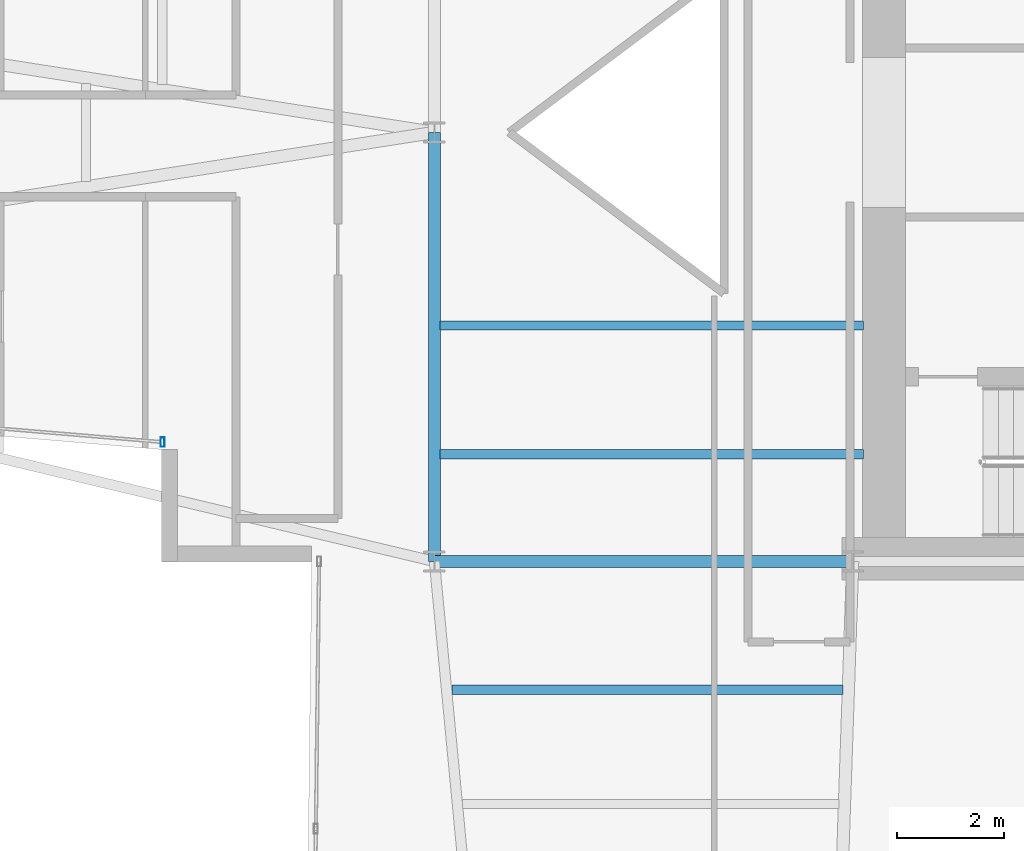
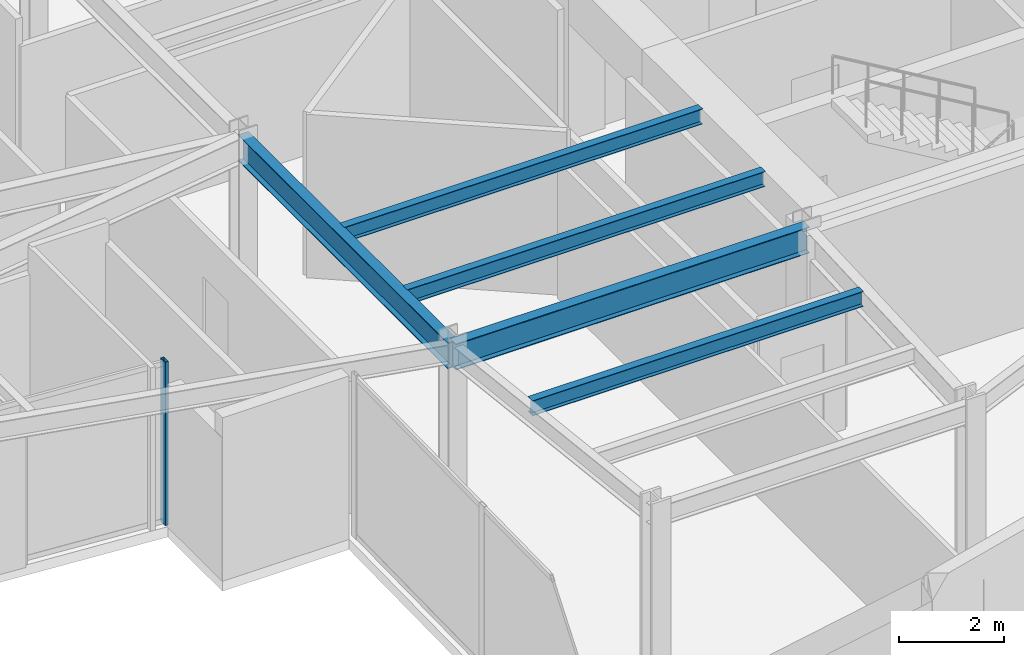
# One storey, part 5 of 25: 5 beams, 1 member, 1 element without a shape of its own.
"""IFC4 building model written with IfcOpenShell, lengths in metres."""

import ifcopenshell
import ifcopenshell.guid

model = None  # the IFC model being written
_history = None  # IfcOwnerHistory: only IFC2X3 demands one
_inside = {}  # id of a spatial element -> (the spatial element, [elements in it])
_under = {}  # id of a project, library or spatial element -> (it, [spatial elements below it])
_declared = {}  # id of a project -> (the project, [libraries it declares])
_typed = {}  # id of a type object -> (the type object, [elements of that type])
_made_of = {}  # id of a material, layer set ... -> (it, [elements and type objects made of it])


def new_model(schema):
    """Start an empty IFC model of exactly this schema.

    Asked for "IFC4X3", IfcOpenShell would pick the latest addendum, in which some entities
    have other attributes; the version numbers below select the first issue.
    IFC2X3 requires an IfcOwnerHistory on every rooted entity: one is made here for all.
    """
    global model, _history
    if schema == "IFC4X3":
        model = ifcopenshell.file(schema_version=(4, 3, 0, 0))
    else:
        model = ifcopenshell.file(schema=schema)
    _inside.clear()
    _under.clear()
    _declared.clear()
    _typed.clear()
    _made_of.clear()
    _history = None
    if model.schema == "IFC2X3":
        org = make("IfcOrganization", Name="unknown")
        user = make(
            "IfcPersonAndOrganization",
            ThePerson=make("IfcPerson", FamilyName="unknown"),
            TheOrganization=org,
        )
        app = make(
            "IfcApplication",
            ApplicationDeveloper=org,
            Version="unknown",
            ApplicationFullName="unknown",
            ApplicationIdentifier="unknown",
        )
        _history = make(
            "IfcOwnerHistory",
            OwningUser=user,
            OwningApplication=app,
            ChangeAction="ADDED",
            CreationDate=0,
        )
    return model


def make(cls, **values):
    """One entity of the class cls with the attributes given. An attribute that is None is left unset."""
    return model.create_entity(
        cls, **{name: value for name, value in values.items() if value is not None}
    )


def rooted(cls, **values):
    """An entity with a GlobalId (a new one), such as an element, a storey or a relation."""
    return make(cls, GlobalId=ifcopenshell.guid.new(), OwnerHistory=_history, **values)


def si_unit(unit_type, name, prefix=None):
    """IfcSIUnit, for example si_unit("LENGTHUNIT", "METRE", prefix="MILLI")."""
    return make("IfcSIUnit", UnitType=unit_type, Prefix=prefix, Name=name)


def assignment(units):
    """IfcUnitAssignment: the units of a project."""
    return None if units is None else make("IfcUnitAssignment", Units=units)


def point(xyz):
    """IfcCartesianPoint."""
    return None if xyz is None else make("IfcCartesianPoint", Coordinates=xyz)


def direction(xyz):
    """IfcDirection."""
    return None if xyz is None else make("IfcDirection", DirectionRatios=xyz)


def frame(location, z_axis=None, x_axis=None):
    """IfcAxis2Placement3D, a coordinate frame: its origin and axes. An axis left out is left unset."""
    return make(
        "IfcAxis2Placement3D",
        Location=point(location),
        Axis=direction(z_axis),
        RefDirection=direction(x_axis),
    )


def frame_2d(location, x_axis=None):
    """IfcAxis2Placement2D, a coordinate frame in the plane: its origin and x axis."""
    return make(
        "IfcAxis2Placement2D", Location=point(location), RefDirection=direction(x_axis)
    )


def origin():
    """The frame at (0, 0, 0) with its axes left unset."""
    return frame((0.0, 0.0, 0.0))


def origin_2d():
    """The frame at (0, 0) in the plane with its x axis left unset."""
    return frame_2d((0.0, 0.0))


def place(relative_to, where):
    """IfcLocalPlacement: puts the frame where relative to a parent placement (None: the world)."""
    return make(
        "IfcLocalPlacement", PlacementRelTo=relative_to, RelativePlacement=where
    )


def context(
    kind, dimensions, precision=None, world=None, true_north=None, identifier=None
):
    """IfcGeometricRepresentationContext, for example the 3D "Model" context."""
    return make(
        "IfcGeometricRepresentationContext",
        ContextIdentifier=identifier,
        ContextType=kind,
        CoordinateSpaceDimension=dimensions,
        Precision=precision,
        WorldCoordinateSystem=world,
        TrueNorth=true_north,
    )


def subcontext(parent, identifier, kind, view, scale=None):
    """IfcGeometricRepresentationSubContext, for example "Body" below "Model"."""
    return make(
        "IfcGeometricRepresentationSubContext",
        ContextIdentifier=identifier,
        ContextType=kind,
        ParentContext=parent,
        TargetScale=scale,
        TargetView=view,
    )


def project(units=None, contexts=None):
    """IfcProject with its units and contexts."""
    return rooted(
        "IfcProject",
        Name="project",
        RepresentationContexts=contexts,
        UnitsInContext=assignment(units),
    )


def spatial(cls, under=None, at=None, **own):
    """A site, building, storey or space (cls), placed at a placement, below another one or the project."""
    s = rooted(cls, ObjectPlacement=at, **own)
    if under is not None:
        _under.setdefault(under.id(), (under, []))[1].append(s)
    return s


def profile(cls, at=None, kind="AREA", **sizes):
    """A parametric profile (cls). Its sizes go by their IFC names, for example OverallWidth=200.0."""
    return make(cls, ProfileType=kind, Position=at, **sizes)


def hollow_rectangle(**sizes):
    """IfcRectangleHollowProfileDef."""
    return profile("IfcRectangleHollowProfileDef", **sizes)


def i_section(**sizes):
    """IfcIShapeProfileDef."""
    return profile("IfcIShapeProfileDef", **sizes)


def extrude(swept, where, along, depth):
    """IfcExtrudedAreaSolid: the profile swept, set in the frame where, extruded along a direction by depth."""
    return make(
        "IfcExtrudedAreaSolid",
        SweptArea=swept,
        Position=where,
        ExtrudedDirection=direction(along),
        Depth=depth,
    )


def shape(context_of_items, identifier, shape_type, items):
    """IfcShapeRepresentation: the items that make up one representation, for example the "Body"."""
    return make(
        "IfcShapeRepresentation",
        ContextOfItems=context_of_items,
        RepresentationIdentifier=identifier,
        RepresentationType=shape_type,
        Items=items,
    )


def material(Name=None, Category=None):
    """IfcMaterial."""
    return make("IfcMaterial", Name=Name, Category=Category)


def layer(
    of_material, thickness, ventilated=None, Name=None, Category=None, Priority=None
):
    """IfcMaterialLayer: one layer of a wall or slab, of a material (None: an air gap)."""
    return make(
        "IfcMaterialLayer",
        Material=of_material,
        LayerThickness=thickness,
        IsVentilated=ventilated,
        Name=Name,
        Category=Category,
        Priority=Priority,
    )


def layer_set(layers, Name=None):
    """IfcMaterialLayerSet."""
    return make("IfcMaterialLayerSet", MaterialLayers=layers, LayerSetName=Name)


def material_profile(
    of_material, cross_section, Name=None, Category=None, Priority=None
):
    """IfcMaterialProfile: a cross section and its material."""
    return make(
        "IfcMaterialProfile",
        Name=Name,
        Material=of_material,
        Profile=cross_section,
        Priority=Priority,
        Category=Category,
    )


def profile_set(profiles, Name=None, composite=None):
    """IfcMaterialProfileSet."""
    return make(
        "IfcMaterialProfileSet",
        Name=Name,
        MaterialProfiles=profiles,
        CompositeProfile=composite,
    )


def made_of(thing, what):
    """Note that an element or type object is made of a material, layer set ...; save() writes the relation."""
    if what is not None:
        _made_of.setdefault(what.id(), (what, []))[1].append(thing)
    return thing


def type_object(cls, material=None, **own):
    """A type object (cls), such as IfcWallType, which elements share."""
    return made_of(rooted(cls, **own), material)


def element(
    cls,
    number,
    at=None,
    inside=None,
    cuts=None,
    type_object=None,
    material=None,
    context=None,
    identifier="Body",
    shape_type=None,
    held_by="IfcProductDefinitionShape",
    body=None,
    shapes=None,
    **own,
):
    """One element of the class cls, such as IfcWall. Its Tag is "e" and its number.

    at: its placement. inside: the storey or other place that contains it. cuts: it is an
    opening in that element (IfcRelVoidsElement). A single representation is given by context,
    identifier, shape_type and body (its items); several are given by shapes. held_by: the class
    of the entity that holds the representations. save() writes the other relations.
    """
    e = rooted(cls, Tag="e%d" % number, ObjectPlacement=at, **own)
    if body is not None:
        shapes = [shape(context, identifier, shape_type, body)]
    if shapes is not None:
        e.Representation = make(held_by, Representations=shapes)
    if inside is not None:
        _inside.setdefault(inside.id(), (inside, []))[1].append(e)
    if cuts is not None:
        rooted(
            "IfcRelVoidsElement", RelatingBuildingElement=cuts, RelatedOpeningElement=e
        )
    if type_object is not None:
        _typed.setdefault(type_object.id(), (type_object, []))[1].append(e)
    return made_of(e, material)


def aggregate(whole, parts):
    """IfcRelAggregates: a whole, such as a stair, and the parts it consists of."""
    return rooted("IfcRelAggregates", RelatingObject=whole, RelatedObjects=parts)


def save(model, path):
    """Write the relations noted so far, then the file.

    IfcRelAggregates (storeys below a building ...), IfcRelContainedInSpatialStructure (elements
    in a storey), IfcRelDefinesByType, IfcRelAssociatesMaterial and IfcRelDeclares: one each for
    every whole, place, type object, material and project.
    """
    for whole, parts in _under.values():
        aggregate(whole, parts)
    for where, things in _inside.values():
        rooted(
            "IfcRelContainedInSpatialStructure",
            RelatedElements=things,
            RelatingStructure=where,
        )
    for kind, things in _typed.values():
        rooted("IfcRelDefinesByType", RelatedObjects=things, RelatingType=kind)
    for what, things in _made_of.values():
        rooted("IfcRelAssociatesMaterial", RelatedObjects=things, RelatingMaterial=what)
    for by, libraries in _declared.values():
        rooted("IfcRelDeclares", RelatingContext=by, RelatedDefinitions=libraries)
    model.write(path)


model = new_model("IFC4")

# Units and contexts
model_context = context("Model", 3, precision=1e-05, world=origin(), true_north=direction((0.0, 1.0)))
body_context = subcontext(model_context, "Body", "Model", "MODEL_VIEW")
ifc_project = project(units=[si_unit("LENGTHUNIT", "METRE"), si_unit("AREAUNIT", "SQUARE_METRE"), si_unit("VOLUMEUNIT", "CUBIC_METRE"), si_unit("PLANEANGLEUNIT", "RADIAN"), si_unit("MASSUNIT", "GRAM", prefix="KILO")], contexts=[model_context])

# Site, building, storey
site_placement = place(None, origin())
site = spatial("IfcSite", under=ifc_project, at=site_placement, CompositionType="ELEMENT")
building_placement = place(site_placement, origin())
building = spatial("IfcBuilding", under=site, at=building_placement, Name="Veymaron Broadcast Tower", CompositionType="ELEMENT")
storey_placement = place(building_placement, frame((0.0, 0.0, 129.0)))
storey = spatial("IfcBuildingStorey", under=building, at=storey_placement, Name="L29", CompositionType="ELEMENT", Elevation=129.0)

# Beams
ifc_material_1 = material(Name="Structural steel ASTM A992 Gr 50", Category="steel")
ifc_material_profile_1 = material_profile(ifc_material_1, i_section(OverallWidth=0.22802734375, OverallDepth=0.60791015625, WebThickness=0.01123046875, FlangeThickness=0.017333984375, at=origin_2d()), Name="W610X113")
ifc_profile_set_1 = profile_set([ifc_material_profile_1], Name="Structural steel ASTM A992 Gr 50")
beam_type_1 = type_object("IfcBeamType", Name="BM-FG2", PredefinedType="BEAM", material=ifc_profile_set_1)
beam_1_placement = place(storey_placement, frame((31.199951171875, 16.0, 3.506103515625), z_axis=(0.0, 1.0, 0.0), x_axis=(-1.0, 0.0, 0.0)))
element("IfcBeam", 1, at=beam_1_placement, inside=storey, type_object=beam_type_1, Name="L29 primary structural floor girder", PredefinedType="BEAM", context=body_context, shape_type="SweptSolid", body=[
    extrude(i_section(OverallWidth=0.22802734375, OverallDepth=0.60791015625, WebThickness=0.01123046875, FlangeThickness=0.017333984375, at=origin_2d()), origin(), (0.0, 0.0, 1.0), 8.0),
])
beam_2_placement = place(storey_placement, frame((31.199951171875, 16.0, 3.506103515625), z_axis=(1.0, 0.0, 0.0), x_axis=(0.0, 1.0, 0.0)))
element("IfcBeam", 2, at=beam_2_placement, inside=storey, type_object=beam_type_1, Name="L29 primary structural floor girder", PredefinedType="BEAM", context=body_context, shape_type="SweptSolid", body=[
    extrude(i_section(OverallWidth=0.22802734375, OverallDepth=0.60791015625, WebThickness=0.01123046875, FlangeThickness=0.017333984375, at=origin_2d()), origin(), (0.0, 0.0, 1.0), 7.800048828125),
])
ifc_material_profile_2 = material_profile(ifc_material_1, i_section(OverallWidth=0.1708984375, OverallDepth=0.35498046875, WebThickness=0.007080078125, FlangeThickness=0.01171875, at=origin_2d()), Name="W360X51")
ifc_profile_set_2 = profile_set([ifc_material_profile_2], Name="Structural steel ASTM A992 Gr 50")
beam_type_2 = type_object("IfcBeamType", Name="BM-JS2", PredefinedType="JOIST", material=ifc_profile_set_2)
beam_3_placement = place(storey_placement, frame((31.52685546875, 13.60595703125, 3.632568359375), z_axis=(1.0, 0.0, 0.0), x_axis=(0.0, 1.0, 0.0)))
element("IfcBeam", 3, at=beam_3_placement, inside=storey, type_object=beam_type_2, Name="L29 Arm-C secondary joist 1", PredefinedType="JOIST", context=body_context, shape_type="SweptSolid", body=[
    extrude(i_section(OverallWidth=0.1708984375, OverallDepth=0.35498046875, WebThickness=0.007080078125, FlangeThickness=0.01171875, at=origin_2d()), origin(), (0.0, 0.0, 1.0), 7.292236328125),
])
for number, where, z_axis, x_axis, name in (
    (4, (31.300048828125, 18.0, 3.632568359375), (1.0, 0.0, 0.0), (0.0, 1.0, 0.0), "L29 Hub secondary joist 1"),
    (5, (31.300048828125, 20.39990234375, 3.632568359375), (1.0, 0.0, 0.0), (0.0, 1.0, 0.0), "L29 Hub secondary joist 2"),
):
    element("IfcBeam", number, at=place(storey_placement, frame(where, z_axis=z_axis, x_axis=x_axis)), inside=storey, type_object=beam_type_2, Name=name, PredefinedType="JOIST", context=body_context, shape_type="SweptSolid", body=[
        extrude(i_section(OverallWidth=0.1708984375, OverallDepth=0.35498046875, WebThickness=0.007080078125, FlangeThickness=0.01171875, at=origin_2d()), origin(), (0.0, 0.0, 1.0), 7.89990234375),
    ])

# Curtain wall, member
ifc_material_2 = material(Name="Anodised aluminium AA 6063-T6 and laminated low-E dark glass", Category="aluminium")
ifc_layer = layer(ifc_material_2, 0.179931640625)
ifc_layer_set = layer_set([ifc_layer], Name="Anodised aluminium AA 6063-T6 and laminated low-E dark glass")
curtain_wall_type = type_object("IfcCurtainWallType", Name="CW-SYS-03", PredefinedType="NOTDEFINED", material=ifc_layer_set)
curtain_wall_placement = place(storey_placement, origin())
curtain_wall = element("IfcCurtainWall", 6, at=curtain_wall_placement, inside=storey, type_object=curtain_wall_type, Name="L29 dark-glass curtain wall CW-L29-E14-1", PredefinedType="NOTDEFINED")
ifc_material_3 = material(Name="Anodised aluminium AA 6063-T6", Category="aluminium")
ifc_material_profile_3 = material_profile(ifc_material_3, hollow_rectangle(XDim=0.074951171875, YDim=0.179931640625, WallThickness=0.0048828125, at=origin_2d()), Name="AL180X75X5")
ifc_profile_set_3 = profile_set([ifc_material_profile_3], Name="Anodised aluminium AA 6063-T6")
member_type = type_object("IfcMemberType", Name="CW-MUL-02", PredefinedType="MULLION", material=ifc_profile_set_3)
member_placement = place(storey_placement, frame((26.131591796875, 18.225341796875, 0.0), z_axis=(0.0, 0.0, 1.0), x_axis=(1.0, 0.0, 0.0)))
member = element("IfcMember", 7, at=member_placement, type_object=member_type, Name="CW-L29-E14-1 mullion 2", PredefinedType="MULLION", context=body_context, shape_type="SweptSolid", body=[
    extrude(hollow_rectangle(XDim=0.074951171875, YDim=0.179931640625, WallThickness=0.0048828125, at=origin_2d()), origin(), (0.0, 0.0, 1.0), 3.81005859375),
])
aggregate(curtain_wall, [member])

save(model, "model.ifc")
